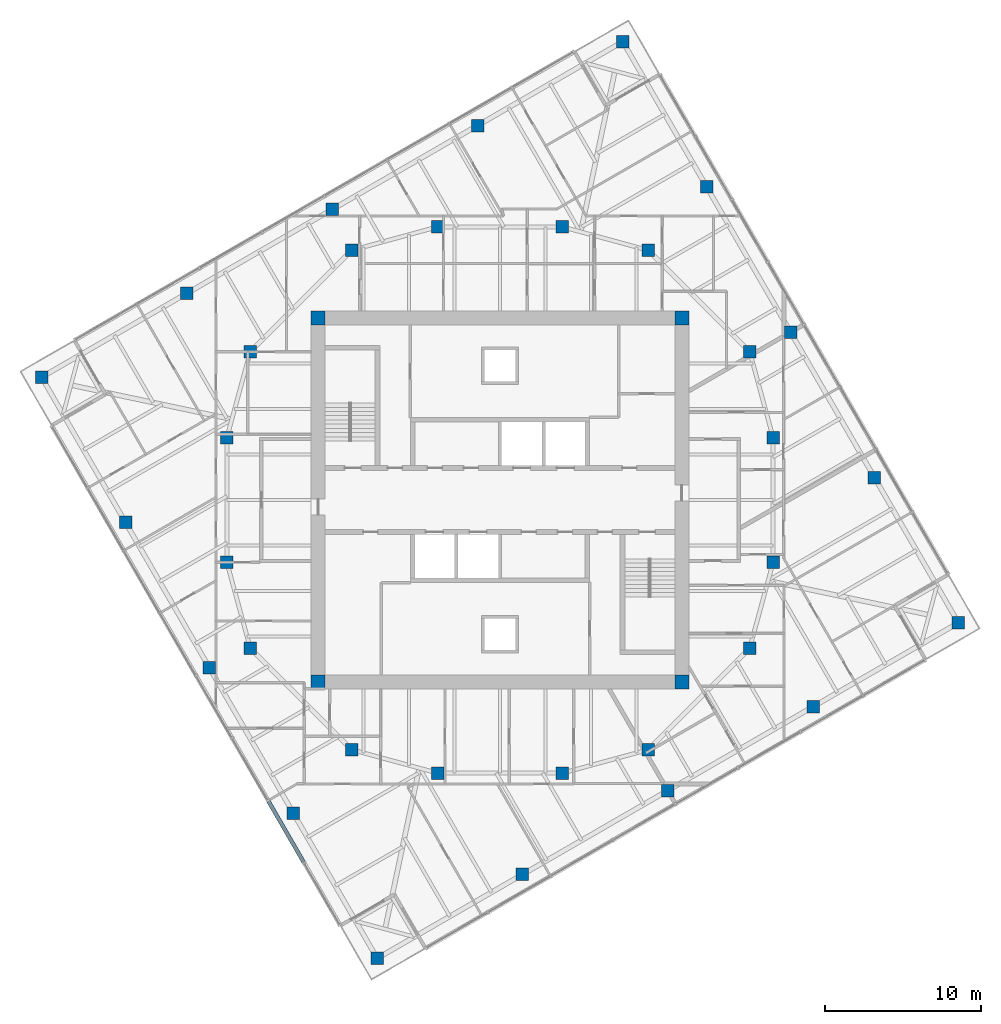
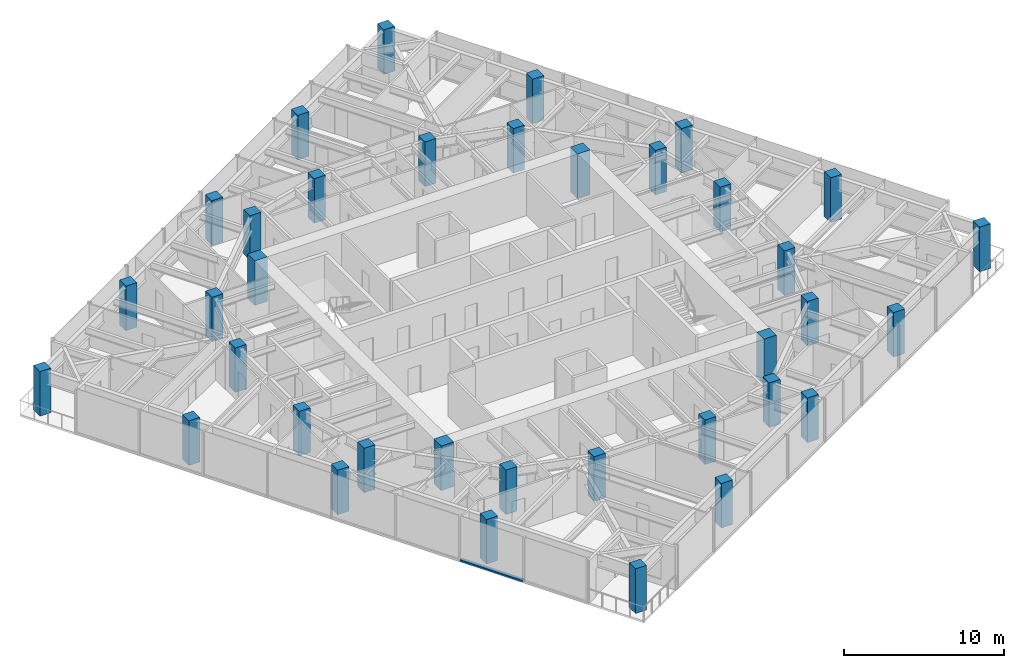
# One storey, part 1 of 13: 36 columns, 1 member, 1 element without a shape of its own.
"""IFC4 building model written with IfcOpenShell, lengths in metres."""

from ifc_helpers import new_model, si_unit, direction, frame, origin, origin_2d, place, context, subcontext, project, spatial, rectangle, extrude, material, material_profile, profile_set, type_object, element, aggregate, save


model = new_model("IFC4")

# Units and contexts
model_context = context("Model", 3, precision=1e-05, world=origin(), true_north=direction((0.0, 1.0)))
body_context = subcontext(model_context, "Body", "Model", "MODEL_VIEW")
ifc_project = project(units=[si_unit("LENGTHUNIT", "METRE"), si_unit("AREAUNIT", "SQUARE_METRE"), si_unit("VOLUMEUNIT", "CUBIC_METRE"), si_unit("PLANEANGLEUNIT", "RADIAN"), si_unit("MASSUNIT", "GRAM", prefix="KILO")], contexts=[model_context])

# Site, building, storey
site_placement = place(None, origin())
site = spatial("IfcSite", under=ifc_project, at=site_placement, CompositionType="ELEMENT")
building_placement = place(site_placement, origin())
building = spatial("IfcBuilding", under=site, at=building_placement, Name="Torsade Residences", CompositionType="ELEMENT")
storey_placement = place(building_placement, frame((0.0, 0.0, 228.60009765625)))
storey = spatial("IfcBuildingStorey", under=building, at=storey_placement, Name="L63", CompositionType="ELEMENT", Elevation=228.60009765625)

# Columns
ifc_material_1 = material(Name="Concrete 80 MPa", Category="concrete")
ifc_material_profile_1 = material_profile(ifc_material_1, rectangle(XDim=0.89990234375, YDim=0.89990234375, at=origin_2d()), Name="RC 900x900")
ifc_profile_set_1 = profile_set([ifc_material_profile_1], Name="Concrete 80 MPa")
column_type_1 = type_object("IfcColumnType", Name="CORE CORNER COLUMN RC 900x900", PredefinedType="COLUMN", material=ifc_profile_set_1)
for number, where, z_axis, x_axis, name in (
    (1, (28.35009765625, 18.35009765625, 0.0), (0.0, 0.0, 1.0), (1.0, 0.0, 0.0), "Core corner column CC1 L63"),
    (2, (51.64990234375, 18.35009765625, 0.0), (0.0, 0.0, 1.0), (1.0, 0.0, 0.0), "Core corner column CC2 L63"),
    (3, (51.64990234375, 41.64990234375, 0.0), (0.0, 0.0, 1.0), (1.0, 0.0, 0.0), "Core corner column CC3 L63"),
    (4, (28.35009765625, 41.64990234375, 0.0), (0.0, 0.0, 1.0), (1.0, 0.0, 0.0), "Core corner column CC4 L63"),
):
    element("IfcColumn", number, at=place(storey_placement, frame(where, z_axis=z_axis, x_axis=x_axis)), inside=storey, type_object=column_type_1, Name=name, PredefinedType="COLUMN", context=body_context, shape_type="SweptSolid", body=[
        extrude(rectangle(XDim=0.89990234375, YDim=0.89990234375, at=origin_2d()), origin(), (0.0, 0.0, 1.0), 3.39990234375),
    ])
ifc_material_2 = material(Name="Concrete 80 MPa", Category="concrete")
ifc_material_profile_2 = material_profile(ifc_material_2, rectangle(XDim=0.800048828125, YDim=0.800048828125, at=origin_2d()), Name="RC 800x800")
ifc_profile_set_2 = profile_set([ifc_material_profile_2], Name="Concrete 80 MPa")
column_type_2 = type_object("IfcColumnType", Name="INNER RING COLUMN RC 800x800", PredefinedType="COLUMN", material=ifc_profile_set_2)
for number, where, z_axis, x_axis, name in (
    (5, (57.5, 26.0, 0.0), (0.0, 0.0, 1.0), (1.0, 0.0, 0.0), "Inner ring column IR01 L63"),
    (6, (57.5, 34.0, 0.0), (0.0, 0.0, 1.0), (1.0, 0.0, 0.0), "Inner ring column IR02 L63"),
    (7, (56.0, 39.5, 0.0), (0.0, 0.0, 1.0), (1.0, 0.0, 0.0), "Inner ring column IR03 L63"),
    (8, (49.5, 46.0, 0.0), (0.0, 0.0, 1.0), (1.0, 0.0, 0.0), "Inner ring column IR04 L63"),
    (9, (44.0, 47.5, 0.0), (0.0, 0.0, 1.0), (1.0, 0.0, 0.0), "Inner ring column IR05 L63"),
    (10, (36.0, 47.5, 0.0), (0.0, 0.0, 1.0), (1.0, 0.0, 0.0), "Inner ring column IR06 L63"),
    (11, (30.5, 46.0, 0.0), (0.0, 0.0, 1.0), (1.0, 0.0, 0.0), "Inner ring column IR07 L63"),
    (12, (24.0, 39.5, 0.0), (0.0, 0.0, 1.0), (1.0, 0.0, 0.0), "Inner ring column IR08 L63"),
    (13, (22.5, 34.0, 0.0), (0.0, 0.0, 1.0), (1.0, 0.0, 0.0), "Inner ring column IR09 L63"),
    (14, (22.5, 26.0, 0.0), (0.0, 0.0, 1.0), (1.0, 0.0, 0.0), "Inner ring column IR10 L63"),
    (15, (24.0, 20.5, 0.0), (0.0, 0.0, 1.0), (1.0, 0.0, 0.0), "Inner ring column IR11 L63"),
    (16, (30.5, 14.0, 0.0), (0.0, 0.0, 1.0), (1.0, 0.0, 0.0), "Inner ring column IR12 L63"),
    (17, (36.0, 12.5, 0.0), (0.0, 0.0, 1.0), (1.0, 0.0, 0.0), "Inner ring column IR13 L63"),
    (18, (44.0, 12.5, 0.0), (0.0, 0.0, 1.0), (1.0, 0.0, 0.0), "Inner ring column IR14 L63"),
    (19, (49.5, 14.0, 0.0), (0.0, 0.0, 1.0), (1.0, 0.0, 0.0), "Inner ring column IR15 L63"),
    (20, (56.0, 20.5, 0.0), (0.0, 0.0, 1.0), (1.0, 0.0, 0.0), "Inner ring column IR16 L63"),
):
    element("IfcColumn", number, at=place(storey_placement, frame(where, z_axis=z_axis, x_axis=x_axis)), inside=storey, type_object=column_type_2, Name=name, PredefinedType="COLUMN", context=body_context, shape_type="SweptSolid", body=[
        extrude(rectangle(XDim=0.800048828125, YDim=0.800048828125, at=origin_2d()), origin(), (0.0, 0.0, 1.0), 3.39990234375),
    ])
ifc_material_3 = material(Name="Concrete 80 MPa", Category="concrete")
ifc_material_profile_3 = material_profile(ifc_material_3, rectangle(XDim=0.800048828125, YDim=0.800048828125, at=origin_2d()), Name="RC 800x800")
ifc_profile_set_3 = profile_set([ifc_material_profile_3], Name="Concrete 80 MPa")
column_type_3 = type_object("IfcColumnType", Name="TOWER COLUMN RC 800x800", PredefinedType="COLUMN", material=ifc_profile_set_3)
for number, where, z_axis, x_axis, name in (
    (21, (32.13037109375, 0.63037109375, 0.0), (0.0, 0.0, 1.0), (1.0, 0.0, 0.0), "Column TC7-01 L63"),
    (22, (41.440185546875, 6.00537109375, 0.0), (0.0, 0.0, 1.0), (1.0, 0.0, 0.0), "Column TC7-02 L63"),
    (23, (50.75, 11.38037109375, 0.0), (0.0, 0.0, 1.0), (1.0, 0.0, 0.0), "Column TC7-03 L63"),
    (24, (60.059814453125, 16.75537109375, 0.0), (0.0, 0.0, 1.0), (1.0, 0.0, 0.0), "Column TC7-04 L63"),
    (25, (69.36962890625, 22.13037109375, 0.0), (0.0, 0.0, 1.0), (1.0, 0.0, 0.0), "Column TC7-05 L63"),
    (26, (63.99462890625, 31.440185546875, 0.0), (0.0, 0.0, 1.0), (1.0, 0.0, 0.0), "Column TC7-06 L63"),
    (27, (58.61962890625, 40.75, 0.0), (0.0, 0.0, 1.0), (1.0, 0.0, 0.0), "Column TC7-07 L63"),
    (28, (53.24462890625, 50.059814453125, 0.0), (0.0, 0.0, 1.0), (1.0, 0.0, 0.0), "Column TC7-08 L63"),
    (29, (47.86962890625, 59.36962890625, 0.0), (0.0, 0.0, 1.0), (1.0, 0.0, 0.0), "Column TC7-09 L63"),
    (30, (38.559814453125, 53.99462890625, 0.0), (0.0, 0.0, 1.0), (1.0, 0.0, 0.0), "Column TC7-10 L63"),
    (31, (29.25, 48.61962890625, 0.0), (0.0, 0.0, 1.0), (1.0, 0.0, 0.0), "Column TC7-11 L63"),
    (32, (19.940185546875, 43.24462890625, 0.0), (0.0, 0.0, 1.0), (1.0, 0.0, 0.0), "Column TC7-12 L63"),
    (33, (10.63037109375, 37.86962890625, 0.0), (0.0, 0.0, 1.0), (1.0, 0.0, 0.0), "Column TC7-13 L63"),
    (34, (16.00537109375, 28.559814453125, 0.0), (0.0, 0.0, 1.0), (1.0, 0.0, 0.0), "Column TC7-14 L63"),
    (35, (21.38037109375, 19.25, 0.0), (0.0, 0.0, 1.0), (1.0, 0.0, 0.0), "Column TC7-15 L63"),
    (36, (26.75537109375, 9.940185546875, 0.0), (0.0, 0.0, 1.0), (1.0, 0.0, 0.0), "Column TC7-16 L63"),
):
    element("IfcColumn", number, at=place(storey_placement, frame(where, z_axis=z_axis, x_axis=x_axis)), inside=storey, type_object=column_type_3, Name=name, PredefinedType="COLUMN", context=body_context, shape_type="SweptSolid", body=[
        extrude(rectangle(XDim=0.800048828125, YDim=0.800048828125, at=origin_2d()), origin(), (0.0, 0.0, 1.0), 3.39990234375),
    ])

# Curtain wall, member
ifc_material_4 = material(Name="Aluminium and glass", Category="aluminium")
curtain_wall_type = type_object("IfcCurtainWallType", Name="FRITTED GLASS CURTAIN WALL HIGH ZONE", PredefinedType="NOTDEFINED", material=ifc_material_4)
curtain_wall_placement = place(storey_placement, origin())
curtain_wall = element("IfcCurtainWall", 37, at=curtain_wall_placement, inside=storey, type_object=curtain_wall_type, Name="Curtain wall L63 face 10", PredefinedType="NOTDEFINED")
ifc_material_5 = material(Name="Aluminium transom", Category="aluminium")
ifc_material_profile_4 = material_profile(ifc_material_5, rectangle(XDim=0.25, YDim=0.1201171875, at=origin_2d()), Name="HIGH ZONE CURTAIN WALL TRANSOM 250x120")
ifc_profile_set_4 = profile_set([ifc_material_profile_4], Name="Aluminium transom")
member_type = type_object("IfcMemberType", Name="HIGH ZONE CURTAIN WALL TRANSOM 250x120", PredefinedType="USERDEFINED", material=ifc_profile_set_4)
member_placement = place(storey_placement, frame((25.164306640625, 10.696044921875, 0.059814453125), z_axis=(0.500015112013, -0.866016678684, 0.0), x_axis=(0.866016678684, 0.500015112013, 0.0)))
member = element("IfcMember", 38, at=member_placement, type_object=member_type, Name="Transom 7.1", ObjectType="TRANSOM", PredefinedType="USERDEFINED", context=body_context, shape_type="SweptSolid", body=[
    extrude(rectangle(XDim=0.25, YDim=0.1201171875, at=origin_2d()), origin(), (0.0, 0.0, 1.0), 4.525146484375),
])
aggregate(curtain_wall, [member])

save(model, "model.ifc")
